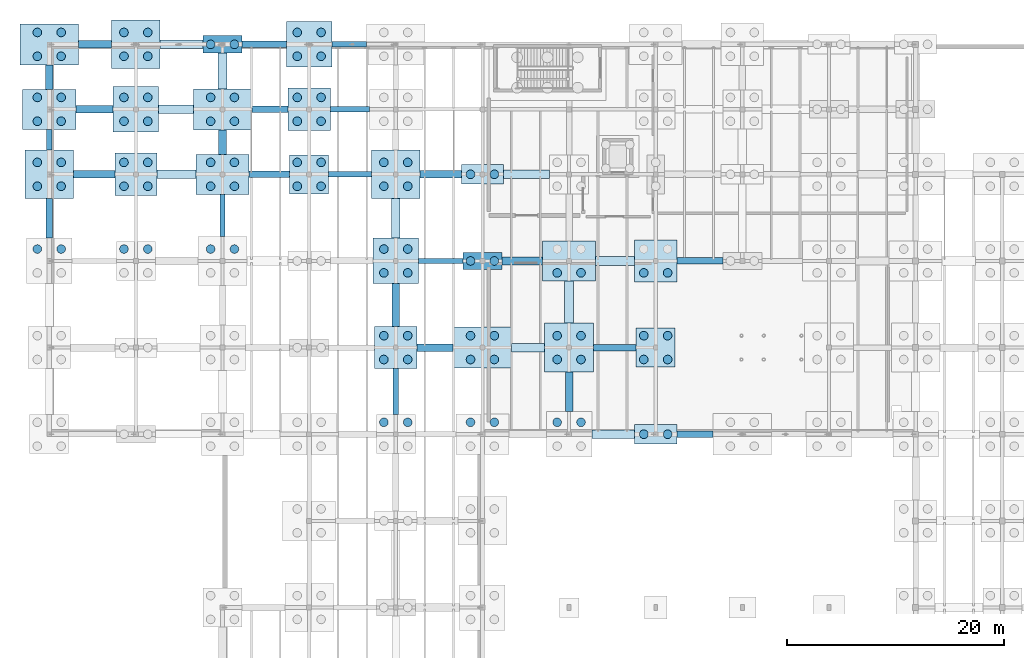
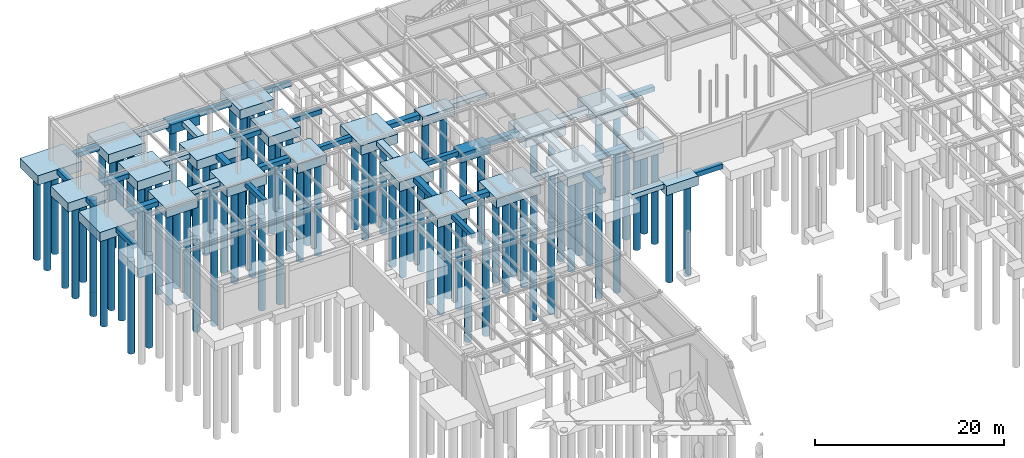
# One storey, part 4 of 71: 92 piles, 57 footings.
"""IFC4 building model written with IfcOpenShell, lengths in metres."""

from ifc_helpers import new_model, si_unit, direction, frame, origin, origin_2d, place, context, subcontext, project, spatial, rectangle, circle, extrude, material, material_profile, profile_set, type_object, element, save


model = new_model("IFC4")

# Units and contexts
model_context = context("Model", 3, precision=1e-05, world=origin(), true_north=direction((0.0, 1.0)))
body_context = subcontext(model_context, "Body", "Model", "MODEL_VIEW")
ifc_project = project(units=[si_unit("LENGTHUNIT", "METRE"), si_unit("AREAUNIT", "SQUARE_METRE"), si_unit("VOLUMEUNIT", "CUBIC_METRE"), si_unit("PLANEANGLEUNIT", "RADIAN"), si_unit("MASSUNIT", "GRAM", prefix="KILO")], contexts=[model_context])

# Site, building, storey
site_placement = place(None, origin())
site = spatial("IfcSite", under=ifc_project, at=site_placement, CompositionType="ELEMENT")
building_placement = place(site_placement, origin())
building = spatial("IfcBuilding", under=site, at=building_placement, Name="Sundkrona Museum", CompositionType="ELEMENT")
storey_placement = place(building_placement, frame((0.0, 0.0, -5.39990234375)))
storey = spatial("IfcBuildingStorey", under=building, at=storey_placement, Name="B1", CompositionType="ELEMENT", Elevation=-5.39990234375)

# Footings
ifc_material = material(Name="Concrete C40/50", Category="concrete")
footing_type_1 = type_object("IfcFootingType", Name="GB-500", PredefinedType="FOOTING_BEAM", material=ifc_material)
footing_1_placement = place(storey_placement, frame((36.14990234375, 94.0, -0.7001953125), z_axis=(0.0, 0.0, 1.0), x_axis=(1.0, 0.0, 0.0)))
element("IfcFooting", 1, at=footing_1_placement, inside=storey, type_object=footing_type_1, Name="Ground Tie Beam GB-X-134", PredefinedType="FOOTING_BEAM", context=body_context, shape_type="SweptSolid", body=[
    extrude(rectangle(XDim=4.10009765625, YDim=0.5, at=origin_2d()), origin(), (0.0, 0.0, 1.0), 0.60009765625),
])
footing_2_placement = place(storey_placement, frame((27.77490234375, 102.0, -0.7001953125), z_axis=(0.0, 0.0, 1.0), x_axis=(1.0, 0.0, 0.0)))
element("IfcFooting", 2, at=footing_2_placement, inside=storey, type_object=footing_type_1, Name="Ground Tie Beam GB-X-154", PredefinedType="FOOTING_BEAM", context=body_context, shape_type="SweptSolid", body=[
    extrude(rectangle(XDim=3.949951171875, YDim=0.5, at=origin_2d()), origin(), (0.0, 0.0, 1.0), 0.60009765625),
])
footing_3_placement = place(storey_placement, frame((27.75, 108.0, -0.7001953125), z_axis=(0.0, 0.0, 1.0), x_axis=(1.0, 0.0, 0.0)))
element("IfcFooting", 3, at=footing_3_placement, inside=storey, type_object=footing_type_1, Name="Ground Tie Beam GB-X-174", PredefinedType="FOOTING_BEAM", context=body_context, shape_type="SweptSolid", body=[
    extrude(rectangle(XDim=3.60009765625, YDim=0.5, at=origin_2d()), origin(), (0.0, 0.0, 1.0), 0.60009765625),
])
footing_4_placement = place(storey_placement, frame((27.699951171875, 114.0, -0.7001953125), z_axis=(0.0, 0.0, 1.0), x_axis=(1.0, 0.0, 0.0)))
element("IfcFooting", 4, at=footing_4_placement, inside=storey, type_object=footing_type_1, Name="Ground Tie Beam GB-X-186", PredefinedType="FOOTING_BEAM", context=body_context, shape_type="SweptSolid", body=[
    extrude(rectangle(XDim=3.199951171875, YDim=0.5, at=origin_2d()), origin(), (0.0, 0.0, 1.0), 0.60009765625),
])
footing_5_placement = place(storey_placement, frame((0.0, 105.199951171875, -0.7001953125), z_axis=(0.0, 0.0, 1.0), x_axis=(0.0, 1.0, 0.0)))
element("IfcFooting", 5, at=footing_5_placement, inside=storey, type_object=footing_type_1, Name="Ground Tie Beam GB-Y-198", PredefinedType="FOOTING_BEAM", context=body_context, shape_type="SweptSolid", body=[
    extrude(rectangle(XDim=1.89990234375, YDim=0.5, at=origin_2d()), origin(), (0.0, 0.0, 1.0), 0.60009765625),
])
footing_6_placement = place(storey_placement, frame((16.0, 98.199951171875, -0.7001953125), z_axis=(0.0, 0.0, 1.0), x_axis=(0.0, 1.0, 0.0)))
element("IfcFooting", 6, at=footing_6_placement, inside=storey, type_object=footing_type_1, Name="Ground Tie Beam GB-Y-206", PredefinedType="FOOTING_BEAM", context=body_context, shape_type="SweptSolid", body=[
    extrude(rectangle(XDim=3.89990234375, YDim=0.5, at=origin_2d()), origin(), (0.0, 0.0, 1.0), 0.60009765625),
])
footing_7_placement = place(storey_placement, frame((32.0, 81.925048828125, -0.7001953125), z_axis=(0.0, 0.0, 1.0), x_axis=(0.0, 1.0, 0.0)))
element("IfcFooting", 7, at=footing_7_placement, inside=storey, type_object=footing_type_1, Name="Ground Tie Beam GB-Y-214", PredefinedType="FOOTING_BEAM", context=body_context, shape_type="SweptSolid", body=[
    extrude(rectangle(XDim=4.25, YDim=0.5, at=origin_2d()), origin(), (0.0, 0.0, 1.0), 0.60009765625),
])
footing_type_2 = type_object("IfcFootingType", Name="GB-600", PredefinedType="FOOTING_BEAM", material=ifc_material)
footing_8_placement = place(storey_placement, frame((59.625, 78.0, -0.7001953125), z_axis=(0.0, 0.0, 1.0), x_axis=(1.0, 0.0, 0.0)))
element("IfcFooting", 8, at=footing_8_placement, inside=storey, type_object=footing_type_2, Name="Ground Tie Beam GB-X-097", PredefinedType="FOOTING_BEAM", context=body_context, shape_type="SweptSolid", body=[
    extrude(rectangle(XDim=3.35009765625, YDim=0.60009765625, at=origin_2d()), origin(), (0.0, 0.0, 1.0), 0.60009765625),
])
footing_9_placement = place(storey_placement, frame((52.22509765625, 86.0, -0.7001953125), z_axis=(0.0, 0.0, 1.0), x_axis=(1.0, 0.0, 0.0)))
element("IfcFooting", 9, at=footing_9_placement, inside=storey, type_object=footing_type_2, Name="Ground Tie Beam GB-X-117", PredefinedType="FOOTING_BEAM", context=body_context, shape_type="SweptSolid", body=[
    extrude(rectangle(XDim=3.949951171875, YDim=0.60009765625, at=origin_2d()), origin(), (0.0, 0.0, 1.0), 0.60009765625),
])
footing_10_placement = place(storey_placement, frame((60.074951171875, 94.0, -0.7001953125), z_axis=(0.0, 0.0, 1.0), x_axis=(1.0, 0.0, 0.0)))
element("IfcFooting", 10, at=footing_10_placement, inside=storey, type_object=footing_type_2, Name="Ground Tie Beam GB-X-137", PredefinedType="FOOTING_BEAM", context=body_context, shape_type="SweptSolid", body=[
    extrude(rectangle(XDim=4.25, YDim=0.60009765625, at=origin_2d()), origin(), (0.0, 0.0, 1.0), 0.60009765625),
])
footing_11_placement = place(storey_placement, frame((20.324951171875, 102.0, -0.7001953125), z_axis=(0.0, 0.0, 1.0), x_axis=(1.0, 0.0, 0.0)))
element("IfcFooting", 11, at=footing_11_placement, inside=storey, type_object=footing_type_2, Name="Ground Tie Beam GB-X-153", PredefinedType="FOOTING_BEAM", context=body_context, shape_type="SweptSolid", body=[
    extrude(rectangle(XDim=3.75, YDim=0.60009765625, at=origin_2d()), origin(), (0.0, 0.0, 1.0), 0.60009765625),
])
footing_12_placement = place(storey_placement, frame((20.375, 108.0, -0.7001953125), z_axis=(0.0, 0.0, 1.0), x_axis=(1.0, 0.0, 0.0)))
element("IfcFooting", 12, at=footing_12_placement, inside=storey, type_object=footing_type_2, Name="Ground Tie Beam GB-X-173", PredefinedType="FOOTING_BEAM", context=body_context, shape_type="SweptSolid", body=[
    extrude(rectangle(XDim=3.35009765625, YDim=0.60009765625, at=origin_2d()), origin(), (0.0, 0.0, 1.0), 0.60009765625),
])
footing_13_placement = place(storey_placement, frame((19.85009765625, 114.0, -0.7001953125), z_axis=(0.0, 0.0, 1.0), x_axis=(1.0, 0.0, 0.0)))
element("IfcFooting", 13, at=footing_13_placement, inside=storey, type_object=footing_type_2, Name="Ground Tie Beam GB-X-185", PredefinedType="FOOTING_BEAM", context=body_context, shape_type="SweptSolid", body=[
    extrude(rectangle(XDim=4.10009765625, YDim=0.60009765625, at=origin_2d()), origin(), (0.0, 0.0, 1.0), 0.60009765625),
])
footing_14_placement = place(storey_placement, frame((0.0, 97.925048828125, -0.7001953125), z_axis=(0.0, 0.0, 1.0), x_axis=(0.0, 1.0, 0.0)))
element("IfcFooting", 14, at=footing_14_placement, inside=storey, type_object=footing_type_2, Name="Ground Tie Beam GB-Y-197", PredefinedType="FOOTING_BEAM", context=body_context, shape_type="SweptSolid", body=[
    extrude(rectangle(XDim=3.64990234375, YDim=0.60009765625, at=origin_2d()), origin(), (0.0, 0.0, 1.0), 0.60009765625),
])
footing_type_3 = type_object("IfcFootingType", Name="GB-700", PredefinedType="FOOTING_BEAM", material=ifc_material)
footing_15_placement = place(storey_placement, frame((35.625, 86.0, -0.7001953125), z_axis=(0.0, 0.0, 1.0), x_axis=(1.0, 0.0, 0.0)))
element("IfcFooting", 15, at=footing_15_placement, inside=storey, type_object=footing_type_3, Name="Ground Tie Beam GB-X-115", PredefinedType="FOOTING_BEAM", context=body_context, shape_type="SweptSolid", body=[
    extrude(rectangle(XDim=3.35009765625, YDim=0.699951171875, at=origin_2d()), origin(), (0.0, 0.0, 1.0), 0.60009765625),
])
footing_16_placement = place(storey_placement, frame((43.675048828125, 94.0, -0.7001953125), z_axis=(0.0, 0.0, 1.0), x_axis=(1.0, 0.0, 0.0)))
element("IfcFooting", 16, at=footing_16_placement, inside=storey, type_object=footing_type_3, Name="Ground Tie Beam GB-X-135", PredefinedType="FOOTING_BEAM", context=body_context, shape_type="SweptSolid", body=[
    extrude(rectangle(XDim=3.75, YDim=0.699951171875, at=origin_2d()), origin(), (0.0, 0.0, 1.0), 0.60009765625),
])
for number, where, z_axis, x_axis, name in (
    (17, (4.14990234375, 102.0, -0.7001953125), (0.0, 0.0, 1.0), (1.0, 0.0, 0.0), "Ground Tie Beam GB-X-151"),
    (18, (36.14990234375, 102.0, -0.7001953125), (0.0, 0.0, 1.0), (1.0, 0.0, 0.0), "Ground Tie Beam GB-X-155"),
):
    element("IfcFooting", number, at=place(storey_placement, frame(where, z_axis=z_axis, x_axis=x_axis)), inside=storey, type_object=footing_type_3, Name=name, PredefinedType="FOOTING_BEAM", context=body_context, shape_type="SweptSolid", body=[
        extrude(rectangle(XDim=3.800048828125, YDim=0.699951171875, at=origin_2d()), origin(), (0.0, 0.0, 1.0), 0.60009765625),
    ])
footing_17_placement = place(storey_placement, frame((4.175048828125, 108.0, -0.7001953125), z_axis=(0.0, 0.0, 1.0), x_axis=(1.0, 0.0, 0.0)))
element("IfcFooting", 19, at=footing_17_placement, inside=storey, type_object=footing_type_3, Name="Ground Tie Beam GB-X-171", PredefinedType="FOOTING_BEAM", context=body_context, shape_type="SweptSolid", body=[
    extrude(rectangle(XDim=3.449951171875, YDim=0.699951171875, at=origin_2d()), origin(), (0.0, 0.0, 1.0), 0.60009765625),
])
footing_18_placement = place(storey_placement, frame((4.22509765625, 114.0, -0.7001953125), z_axis=(0.0, 0.0, 1.0), x_axis=(1.0, 0.0, 0.0)))
element("IfcFooting", 20, at=footing_18_placement, inside=storey, type_object=footing_type_3, Name="Ground Tie Beam GB-X-183", PredefinedType="FOOTING_BEAM", context=body_context, shape_type="SweptSolid", body=[
    extrude(rectangle(XDim=3.050048828125, YDim=0.699951171875, at=origin_2d()), origin(), (0.0, 0.0, 1.0), 0.60009765625),
])
for number, where, z_axis, x_axis, name in (
    (21, (0.0, 110.97509765625, -0.7001953125), (0.0, 0.0, 1.0), (0.0, 1.0, 0.0), "Ground Tie Beam GB-Y-199"),
    (22, (16.0, 104.97509765625, -0.7001953125), (0.0, 0.0, 1.0), (0.0, 1.0, 0.0), "Ground Tie Beam GB-Y-207"),
):
    element("IfcFooting", number, at=place(storey_placement, frame(where, z_axis=z_axis, x_axis=x_axis)), inside=storey, type_object=footing_type_3, Name=name, PredefinedType="FOOTING_BEAM", context=body_context, shape_type="SweptSolid", body=[
        extrude(rectangle(XDim=2.25, YDim=0.699951171875, at=origin_2d()), origin(), (0.0, 0.0, 1.0), 0.60009765625),
    ])
footing_19_placement = place(storey_placement, frame((32.0, 89.925048828125, -0.7001953125), z_axis=(0.0, 0.0, 1.0), x_axis=(0.0, 1.0, 0.0)))
element("IfcFooting", 23, at=footing_19_placement, inside=storey, type_object=footing_type_3, Name="Ground Tie Beam GB-Y-215", PredefinedType="FOOTING_BEAM", context=body_context, shape_type="SweptSolid", body=[
    extrude(rectangle(XDim=3.949951171875, YDim=0.699951171875, at=origin_2d()), origin(), (0.0, 0.0, 1.0), 0.60009765625),
])
footing_20_placement = place(storey_placement, frame((48.0, 81.925048828125, -0.7001953125), z_axis=(0.0, 0.0, 1.0), x_axis=(0.0, 1.0, 0.0)))
element("IfcFooting", 24, at=footing_20_placement, inside=storey, type_object=footing_type_3, Name="Ground Tie Beam GB-Y-219", PredefinedType="FOOTING_BEAM", context=body_context, shape_type="SweptSolid", body=[
    extrude(rectangle(XDim=3.64990234375, YDim=0.699951171875, at=origin_2d()), origin(), (0.0, 0.0, 1.0), 0.60009765625),
])
footing_type_4 = type_object("IfcFootingType", Name="GB-800", PredefinedType="FOOTING_BEAM", material=ifc_material)
footing_21_placement = place(storey_placement, frame((52.074951171875, 78.0, -0.7001953125), z_axis=(0.0, 0.0, 1.0), x_axis=(1.0, 0.0, 0.0)))
element("IfcFooting", 25, at=footing_21_placement, inside=storey, type_object=footing_type_4, Name="Ground Tie Beam GB-X-096", PredefinedType="FOOTING_BEAM", context=body_context, shape_type="SweptSolid", body=[
    extrude(rectangle(XDim=3.949951171875, YDim=0.800048828125, at=origin_2d()), origin(), (0.0, 0.0, 1.0), 0.60009765625),
])
footing_22_placement = place(storey_placement, frame((44.22509765625, 86.0, -0.7001953125), z_axis=(0.0, 0.0, 1.0), x_axis=(1.0, 0.0, 0.0)))
element("IfcFooting", 26, at=footing_22_placement, inside=storey, type_object=footing_type_4, Name="Ground Tie Beam GB-X-116", PredefinedType="FOOTING_BEAM", context=body_context, shape_type="SweptSolid", body=[
    extrude(rectangle(XDim=3.050048828125, YDim=0.800048828125, at=origin_2d()), origin(), (0.0, 0.0, 1.0), 0.60009765625),
])
for number, where, z_axis, x_axis, name in (
    (27, (52.25, 94.0, -0.7001953125), (0.0, 0.0, 1.0), (1.0, 0.0, 0.0), "Ground Tie Beam GB-X-136"),
    (28, (11.75, 102.0, -0.7001953125), (0.0, 0.0, 1.0), (1.0, 0.0, 0.0), "Ground Tie Beam GB-X-152"),
):
    element("IfcFooting", number, at=place(storey_placement, frame(where, z_axis=z_axis, x_axis=x_axis)), inside=storey, type_object=footing_type_4, Name=name, PredefinedType="FOOTING_BEAM", context=body_context, shape_type="SweptSolid", body=[
        extrude(rectangle(XDim=3.60009765625, YDim=0.800048828125, at=origin_2d()), origin(), (0.0, 0.0, 1.0), 0.60009765625),
    ])
footing_23_placement = place(storey_placement, frame((44.074951171875, 102.0, -0.7001953125), z_axis=(0.0, 0.0, 1.0), x_axis=(1.0, 0.0, 0.0)))
element("IfcFooting", 29, at=footing_23_placement, inside=storey, type_object=footing_type_4, Name="Ground Tie Beam GB-X-156", PredefinedType="FOOTING_BEAM", context=body_context, shape_type="SweptSolid", body=[
    extrude(rectangle(XDim=4.25, YDim=0.800048828125, at=origin_2d()), origin(), (0.0, 0.0, 1.0), 0.60009765625),
])
footing_24_placement = place(storey_placement, frame((11.699951171875, 108.0, -0.7001953125), z_axis=(0.0, 0.0, 1.0), x_axis=(1.0, 0.0, 0.0)))
element("IfcFooting", 30, at=footing_24_placement, inside=storey, type_object=footing_type_4, Name="Ground Tie Beam GB-X-172", PredefinedType="FOOTING_BEAM", context=body_context, shape_type="SweptSolid", body=[
    extrude(rectangle(XDim=3.199951171875, YDim=0.800048828125, at=origin_2d()), origin(), (0.0, 0.0, 1.0), 0.60009765625),
])
footing_25_placement = place(storey_placement, frame((12.22509765625, 114.0, -0.7001953125), z_axis=(0.0, 0.0, 1.0), x_axis=(1.0, 0.0, 0.0)))
element("IfcFooting", 31, at=footing_25_placement, inside=storey, type_object=footing_type_4, Name="Ground Tie Beam GB-X-184", PredefinedType="FOOTING_BEAM", context=body_context, shape_type="SweptSolid", body=[
    extrude(rectangle(XDim=3.949951171875, YDim=0.800048828125, at=origin_2d()), origin(), (0.0, 0.0, 1.0), 0.60009765625),
])
footing_26_placement = place(storey_placement, frame((16.0, 111.550048828125, -0.7001953125), z_axis=(0.0, 0.0, 1.0), x_axis=(0.0, 1.0, 0.0)))
element("IfcFooting", 32, at=footing_26_placement, inside=storey, type_object=footing_type_4, Name="Ground Tie Beam GB-Y-208", PredefinedType="FOOTING_BEAM", context=body_context, shape_type="SweptSolid", body=[
    extrude(rectangle(XDim=3.300048828125, YDim=0.800048828125, at=origin_2d()), origin(), (0.0, 0.0, 1.0), 0.60009765625),
])
footing_27_placement = place(storey_placement, frame((32.0, 97.925048828125, -0.7001953125), z_axis=(0.0, 0.0, 1.0), x_axis=(0.0, 1.0, 0.0)))
element("IfcFooting", 33, at=footing_27_placement, inside=storey, type_object=footing_type_4, Name="Ground Tie Beam GB-Y-216", PredefinedType="FOOTING_BEAM", context=body_context, shape_type="SweptSolid", body=[
    extrude(rectangle(XDim=3.64990234375, YDim=0.800048828125, at=origin_2d()), origin(), (0.0, 0.0, 1.0), 0.60009765625),
])
footing_28_placement = place(storey_placement, frame((48.0, 90.199951171875, -0.7001953125), z_axis=(0.0, 0.0, 1.0), x_axis=(0.0, 1.0, 0.0)))
element("IfcFooting", 34, at=footing_28_placement, inside=storey, type_object=footing_type_4, Name="Ground Tie Beam GB-Y-220", PredefinedType="FOOTING_BEAM", context=body_context, shape_type="SweptSolid", body=[
    extrude(rectangle(XDim=3.89990234375, YDim=0.800048828125, at=origin_2d()), origin(), (0.0, 0.0, 1.0), 0.60009765625),
])

# Piles
ifc_material_profile = material_profile(ifc_material, circle(Radius=0.39990234375, at=origin_2d()), Name="PILE D800")
ifc_profile_set = profile_set([ifc_material_profile], Name="Concrete C40/50")
pile_type = type_object("IfcPileType", Name="P-800", PredefinedType="BORED", material=ifc_profile_set)
for number, where, z_axis, x_axis, name in (
    (35, (-1.10009765625, 95.10009765625, -1.150146484375), (0.0, 0.0, -1.0), (1.0, 0.0, 0.0), "Bored Pile FC-N-1-P03"),
    (36, (1.10009765625, 95.10009765625, -1.150146484375), (0.0, 0.0, -1.0), (1.0, 0.0, 0.0), "Bored Pile FC-N-1-P04"),
    (37, (-1.10009765625, 100.89990234375, -1.150146484375), (0.0, 0.0, -1.0), (1.0, 0.0, 0.0), "Bored Pile FC-P-1-P01"),
    (38, (1.10009765625, 100.89990234375, -1.150146484375), (0.0, 0.0, -1.0), (1.0, 0.0, 0.0), "Bored Pile FC-P-1-P02"),
    (39, (-1.10009765625, 103.10009765625, -1.150146484375), (0.0, 0.0, -1.0), (1.0, 0.0, 0.0), "Bored Pile FC-P-1-P03"),
    (40, (1.10009765625, 103.10009765625, -1.150146484375), (0.0, 0.0, -1.0), (1.0, 0.0, 0.0), "Bored Pile FC-P-1-P04"),
    (41, (-1.10009765625, 106.89990234375, -1.150146484375), (0.0, 0.0, -1.0), (1.0, 0.0, 0.0), "Bored Pile FC-Q-1-P01"),
    (42, (1.10009765625, 106.89990234375, -1.150146484375), (0.0, 0.0, -1.0), (1.0, 0.0, 0.0), "Bored Pile FC-Q-1-P02"),
    (43, (-1.10009765625, 109.10009765625, -1.150146484375), (0.0, 0.0, -1.0), (1.0, 0.0, 0.0), "Bored Pile FC-Q-1-P03"),
    (44, (1.10009765625, 109.10009765625, -1.150146484375), (0.0, 0.0, -1.0), (1.0, 0.0, 0.0), "Bored Pile FC-Q-1-P04"),
    (45, (-1.10009765625, 112.89990234375, -1.150146484375), (0.0, 0.0, -1.0), (1.0, 0.0, 0.0), "Bored Pile FC-R-1-P01"),
    (46, (1.10009765625, 112.89990234375, -1.150146484375), (0.0, 0.0, -1.0), (1.0, 0.0, 0.0), "Bored Pile FC-R-1-P02"),
    (47, (-1.10009765625, 115.10009765625, -1.150146484375), (0.0, 0.0, -1.0), (1.0, 0.0, 0.0), "Bored Pile FC-R-1-P03"),
    (48, (1.10009765625, 115.10009765625, -1.150146484375), (0.0, 0.0, -1.0), (1.0, 0.0, 0.0), "Bored Pile FC-R-1-P04"),
    (49, (6.89990234375, 95.10009765625, -1.150146484375), (0.0, 0.0, -1.0), (1.0, 0.0, 0.0), "Bored Pile FC-N-2-P03"),
    (50, (9.10009765625, 95.10009765625, -1.150146484375), (0.0, 0.0, -1.0), (1.0, 0.0, 0.0), "Bored Pile FC-N-2-P04"),
    (51, (6.89990234375, 100.89990234375, -1.150146484375), (0.0, 0.0, -1.0), (1.0, 0.0, 0.0), "Bored Pile FC-P-2-P01"),
    (52, (9.10009765625, 100.89990234375, -1.150146484375), (0.0, 0.0, -1.0), (1.0, 0.0, 0.0), "Bored Pile FC-P-2-P02"),
    (53, (6.89990234375, 103.10009765625, -1.150146484375), (0.0, 0.0, -1.0), (1.0, 0.0, 0.0), "Bored Pile FC-P-2-P03"),
    (54, (9.10009765625, 103.10009765625, -1.150146484375), (0.0, 0.0, -1.0), (1.0, 0.0, 0.0), "Bored Pile FC-P-2-P04"),
    (55, (6.89990234375, 106.89990234375, -1.150146484375), (0.0, 0.0, -1.0), (1.0, 0.0, 0.0), "Bored Pile FC-Q-2-P01"),
    (56, (9.10009765625, 106.89990234375, -1.150146484375), (0.0, 0.0, -1.0), (1.0, 0.0, 0.0), "Bored Pile FC-Q-2-P02"),
    (57, (6.89990234375, 109.10009765625, -1.150146484375), (0.0, 0.0, -1.0), (1.0, 0.0, 0.0), "Bored Pile FC-Q-2-P03"),
    (58, (9.10009765625, 109.10009765625, -1.150146484375), (0.0, 0.0, -1.0), (1.0, 0.0, 0.0), "Bored Pile FC-Q-2-P04"),
    (59, (6.89990234375, 112.89990234375, -1.150146484375), (0.0, 0.0, -1.0), (1.0, 0.0, 0.0), "Bored Pile FC-R-2-P01"),
    (60, (9.10009765625, 112.89990234375, -1.150146484375), (0.0, 0.0, -1.0), (1.0, 0.0, 0.0), "Bored Pile FC-R-2-P02"),
    (61, (6.89990234375, 115.10009765625, -1.150146484375), (0.0, 0.0, -1.0), (1.0, 0.0, 0.0), "Bored Pile FC-R-2-P03"),
    (62, (9.10009765625, 115.10009765625, -1.150146484375), (0.0, 0.0, -1.0), (1.0, 0.0, 0.0), "Bored Pile FC-R-2-P04"),
    (63, (14.89990234375, 95.10009765625, -1.150146484375), (0.0, 0.0, -1.0), (1.0, 0.0, 0.0), "Bored Pile FC-N-3-P03"),
    (64, (17.10009765625, 95.10009765625, -1.150146484375), (0.0, 0.0, -1.0), (1.0, 0.0, 0.0), "Bored Pile FC-N-3-P04"),
    (65, (14.89990234375, 100.89990234375, -1.150146484375), (0.0, 0.0, -1.0), (1.0, 0.0, 0.0), "Bored Pile FC-P-3-P01"),
    (66, (17.10009765625, 100.89990234375, -1.150146484375), (0.0, 0.0, -1.0), (1.0, 0.0, 0.0), "Bored Pile FC-P-3-P02"),
    (67, (14.89990234375, 103.10009765625, -1.150146484375), (0.0, 0.0, -1.0), (1.0, 0.0, 0.0), "Bored Pile FC-P-3-P03"),
    (68, (17.10009765625, 103.10009765625, -1.150146484375), (0.0, 0.0, -1.0), (1.0, 0.0, 0.0), "Bored Pile FC-P-3-P04"),
    (69, (14.89990234375, 106.89990234375, -1.150146484375), (0.0, 0.0, -1.0), (1.0, 0.0, 0.0), "Bored Pile FC-Q-3-P01"),
    (70, (17.10009765625, 106.89990234375, -1.150146484375), (0.0, 0.0, -1.0), (1.0, 0.0, 0.0), "Bored Pile FC-Q-3-P02"),
    (71, (14.89990234375, 109.10009765625, -1.150146484375), (0.0, 0.0, -1.0), (1.0, 0.0, 0.0), "Bored Pile FC-Q-3-P03"),
    (72, (17.10009765625, 109.10009765625, -1.150146484375), (0.0, 0.0, -1.0), (1.0, 0.0, 0.0), "Bored Pile FC-Q-3-P04"),
    (73, (14.89990234375, 114.0, -1.150146484375), (0.0, 0.0, -1.0), (1.0, 0.0, 0.0), "Bored Pile FC-R-3-P01"),
    (74, (17.10009765625, 114.0, -1.150146484375), (0.0, 0.0, -1.0), (1.0, 0.0, 0.0), "Bored Pile FC-R-3-P02"),
    (75, (22.89990234375, 100.89990234375, -1.150146484375), (0.0, 0.0, -1.0), (1.0, 0.0, 0.0), "Bored Pile FC-P-4-P01"),
    (76, (25.10009765625, 100.89990234375, -1.150146484375), (0.0, 0.0, -1.0), (1.0, 0.0, 0.0), "Bored Pile FC-P-4-P02"),
    (77, (22.89990234375, 103.10009765625, -1.150146484375), (0.0, 0.0, -1.0), (1.0, 0.0, 0.0), "Bored Pile FC-P-4-P03"),
    (78, (25.10009765625, 103.10009765625, -1.150146484375), (0.0, 0.0, -1.0), (1.0, 0.0, 0.0), "Bored Pile FC-P-4-P04"),
    (79, (22.89990234375, 106.89990234375, -1.150146484375), (0.0, 0.0, -1.0), (1.0, 0.0, 0.0), "Bored Pile FC-Q-4-P01"),
    (80, (25.10009765625, 106.89990234375, -1.150146484375), (0.0, 0.0, -1.0), (1.0, 0.0, 0.0), "Bored Pile FC-Q-4-P02"),
    (81, (22.89990234375, 109.10009765625, -1.150146484375), (0.0, 0.0, -1.0), (1.0, 0.0, 0.0), "Bored Pile FC-Q-4-P03"),
    (82, (25.10009765625, 109.10009765625, -1.150146484375), (0.0, 0.0, -1.0), (1.0, 0.0, 0.0), "Bored Pile FC-Q-4-P04"),
    (83, (22.89990234375, 112.89990234375, -1.150146484375), (0.0, 0.0, -1.0), (1.0, 0.0, 0.0), "Bored Pile FC-R-4-P01"),
    (84, (25.10009765625, 112.89990234375, -1.150146484375), (0.0, 0.0, -1.0), (1.0, 0.0, 0.0), "Bored Pile FC-R-4-P02"),
    (85, (22.89990234375, 115.10009765625, -1.150146484375), (0.0, 0.0, -1.0), (1.0, 0.0, 0.0), "Bored Pile FC-R-4-P03"),
    (86, (25.10009765625, 115.10009765625, -1.150146484375), (0.0, 0.0, -1.0), (1.0, 0.0, 0.0), "Bored Pile FC-R-4-P04"),
    (87, (30.89990234375, 79.10009765625, -1.150146484375), (0.0, 0.0, -1.0), (1.0, 0.0, 0.0), "Bored Pile FC-L-5-P03"),
    (88, (33.10009765625, 79.10009765625, -1.150146484375), (0.0, 0.0, -1.0), (1.0, 0.0, 0.0), "Bored Pile FC-L-5-P04"),
    (89, (30.89990234375, 84.89990234375, -1.150146484375), (0.0, 0.0, -1.0), (1.0, 0.0, 0.0), "Bored Pile FC-M-5-P01"),
    (90, (33.10009765625, 84.89990234375, -1.150146484375), (0.0, 0.0, -1.0), (1.0, 0.0, 0.0), "Bored Pile FC-M-5-P02"),
    (91, (30.89990234375, 87.10009765625, -1.150146484375), (0.0, 0.0, -1.0), (1.0, 0.0, 0.0), "Bored Pile FC-M-5-P03"),
    (92, (33.10009765625, 87.10009765625, -1.150146484375), (0.0, 0.0, -1.0), (1.0, 0.0, 0.0), "Bored Pile FC-M-5-P04"),
    (93, (30.89990234375, 92.89990234375, -1.150146484375), (0.0, 0.0, -1.0), (1.0, 0.0, 0.0), "Bored Pile FC-N-5-P01"),
    (94, (33.10009765625, 92.89990234375, -1.150146484375), (0.0, 0.0, -1.0), (1.0, 0.0, 0.0), "Bored Pile FC-N-5-P02"),
    (95, (30.89990234375, 95.10009765625, -1.150146484375), (0.0, 0.0, -1.0), (1.0, 0.0, 0.0), "Bored Pile FC-N-5-P03"),
    (96, (33.10009765625, 95.10009765625, -1.150146484375), (0.0, 0.0, -1.0), (1.0, 0.0, 0.0), "Bored Pile FC-N-5-P04"),
    (97, (30.89990234375, 100.89990234375, -1.150146484375), (0.0, 0.0, -1.0), (1.0, 0.0, 0.0), "Bored Pile FC-P-5-P01"),
    (98, (33.10009765625, 100.89990234375, -1.150146484375), (0.0, 0.0, -1.0), (1.0, 0.0, 0.0), "Bored Pile FC-P-5-P02"),
    (99, (30.89990234375, 103.10009765625, -1.150146484375), (0.0, 0.0, -1.0), (1.0, 0.0, 0.0), "Bored Pile FC-P-5-P03"),
    (100, (33.10009765625, 103.10009765625, -1.150146484375), (0.0, 0.0, -1.0), (1.0, 0.0, 0.0), "Bored Pile FC-P-5-P04"),
    (101, (38.89990234375, 79.10009765625, -1.150146484375), (0.0, 0.0, -1.0), (1.0, 0.0, 0.0), "Bored Pile FC-L-6-P03"),
    (102, (41.10009765625, 79.10009765625, -1.150146484375), (0.0, 0.0, -1.0), (1.0, 0.0, 0.0), "Bored Pile FC-L-6-P04"),
    (103, (38.89990234375, 84.89990234375, -1.150146484375), (0.0, 0.0, -1.0), (1.0, 0.0, 0.0), "Bored Pile FC-M-6-P01"),
    (104, (41.10009765625, 84.89990234375, -1.150146484375), (0.0, 0.0, -1.0), (1.0, 0.0, 0.0), "Bored Pile FC-M-6-P02"),
    (105, (38.89990234375, 87.10009765625, -1.150146484375), (0.0, 0.0, -1.0), (1.0, 0.0, 0.0), "Bored Pile FC-M-6-P03"),
    (106, (41.10009765625, 87.10009765625, -1.150146484375), (0.0, 0.0, -1.0), (1.0, 0.0, 0.0), "Bored Pile FC-M-6-P04"),
    (107, (38.89990234375, 94.0, -1.150146484375), (0.0, 0.0, -1.0), (1.0, 0.0, 0.0), "Bored Pile FC-N-6-P01"),
    (108, (41.10009765625, 94.0, -1.150146484375), (0.0, 0.0, -1.0), (1.0, 0.0, 0.0), "Bored Pile FC-N-6-P02"),
    (109, (38.89990234375, 102.0, -1.150146484375), (0.0, 0.0, -1.0), (1.0, 0.0, 0.0), "Bored Pile FC-P-6-P01"),
    (110, (41.10009765625, 102.0, -1.150146484375), (0.0, 0.0, -1.0), (1.0, 0.0, 0.0), "Bored Pile FC-P-6-P02"),
    (111, (46.89990234375, 79.10009765625, -1.150146484375), (0.0, 0.0, -1.0), (1.0, 0.0, 0.0), "Bored Pile FC-L-7-P03"),
    (112, (49.10009765625, 79.10009765625, -1.150146484375), (0.0, 0.0, -1.0), (1.0, 0.0, 0.0), "Bored Pile FC-L-7-P04"),
    (113, (46.89990234375, 84.89990234375, -1.150146484375), (0.0, 0.0, -1.0), (1.0, 0.0, 0.0), "Bored Pile FC-M-7-P01"),
    (114, (49.10009765625, 84.89990234375, -1.150146484375), (0.0, 0.0, -1.0), (1.0, 0.0, 0.0), "Bored Pile FC-M-7-P02"),
    (115, (46.89990234375, 87.10009765625, -1.150146484375), (0.0, 0.0, -1.0), (1.0, 0.0, 0.0), "Bored Pile FC-M-7-P03"),
    (116, (49.10009765625, 87.10009765625, -1.150146484375), (0.0, 0.0, -1.0), (1.0, 0.0, 0.0), "Bored Pile FC-M-7-P04"),
    (117, (46.89990234375, 92.89990234375, -1.150146484375), (0.0, 0.0, -1.0), (1.0, 0.0, 0.0), "Bored Pile FC-N-7-P01"),
    (118, (49.10009765625, 92.89990234375, -1.150146484375), (0.0, 0.0, -1.0), (1.0, 0.0, 0.0), "Bored Pile FC-N-7-P02"),
    (119, (54.89990234375, 78.0, -1.150146484375), (0.0, 0.0, -1.0), (1.0, 0.0, 0.0), "Bored Pile FC-L-8-P01"),
    (120, (57.10009765625, 78.0, -1.150146484375), (0.0, 0.0, -1.0), (1.0, 0.0, 0.0), "Bored Pile FC-L-8-P02"),
    (121, (54.89990234375, 84.89990234375, -1.150146484375), (0.0, 0.0, -1.0), (1.0, 0.0, 0.0), "Bored Pile FC-M-8-P01"),
    (122, (57.10009765625, 84.89990234375, -1.150146484375), (0.0, 0.0, -1.0), (1.0, 0.0, 0.0), "Bored Pile FC-M-8-P02"),
    (123, (54.89990234375, 87.10009765625, -1.150146484375), (0.0, 0.0, -1.0), (1.0, 0.0, 0.0), "Bored Pile FC-M-8-P03"),
    (124, (57.10009765625, 87.10009765625, -1.150146484375), (0.0, 0.0, -1.0), (1.0, 0.0, 0.0), "Bored Pile FC-M-8-P04"),
    (125, (54.89990234375, 92.89990234375, -1.150146484375), (0.0, 0.0, -1.0), (1.0, 0.0, 0.0), "Bored Pile FC-N-8-P01"),
    (126, (57.10009765625, 92.89990234375, -1.150146484375), (0.0, 0.0, -1.0), (1.0, 0.0, 0.0), "Bored Pile FC-N-8-P02"),
):
    element("IfcPile", number, at=place(storey_placement, frame(where, z_axis=z_axis, x_axis=x_axis)), inside=storey, type_object=pile_type, Name=name, PredefinedType="BORED", context=body_context, shape_type="SweptSolid", body=[
        extrude(circle(Radius=0.39990234375, at=origin_2d()), origin(), (0.0, 0.0, 1.0), 12.0),
    ])

# Footings
footing_type_5 = type_object("IfcFootingType", Name="PC-2A", PredefinedType="PILE_CAP", material=ifc_material)
for number, where, z_axis, x_axis, name in (
    (127, (16.0, 114.0, -1.30029296875), (0.0, 0.0, 1.0), (1.0, 0.0, 0.0), "Column Pile Cap R/3"),
    (128, (40.0, 94.0, -1.30029296875), (0.0, 0.0, 1.0), (1.0, 0.0, 0.0), "Column Pile Cap N/6"),
):
    element("IfcFooting", number, at=place(storey_placement, frame(where, z_axis=z_axis, x_axis=x_axis)), inside=storey, type_object=footing_type_5, Name=name, PredefinedType="PILE_CAP", context=body_context, shape_type="SweptSolid", body=[
        extrude(rectangle(XDim=3.60009765625, YDim=1.60009765625, at=origin_2d()), origin(), (0.0, 0.0, 1.0), 1.199951171875),
    ])
footing_type_6 = type_object("IfcFootingType", Name="PC-2B", PredefinedType="PILE_CAP", material=ifc_material)
for number, where, z_axis, x_axis, name in (
    (129, (40.0, 102.0, -1.30029296875), (0.0, 0.0, 1.0), (1.0, 0.0, 0.0), "Column Pile Cap P/6"),
    (130, (56.0, 78.0, -1.30029296875), (0.0, 0.0, 1.0), (1.0, 0.0, 0.0), "Column Pile Cap L/8"),
):
    element("IfcFooting", number, at=place(storey_placement, frame(where, z_axis=z_axis, x_axis=x_axis)), inside=storey, type_object=footing_type_6, Name=name, PredefinedType="PILE_CAP", context=body_context, shape_type="SweptSolid", body=[
        extrude(rectangle(XDim=3.89990234375, YDim=1.800048828125, at=origin_2d()), origin(), (0.0, 0.0, 1.0), 1.199951171875),
    ])
footing_type_7 = type_object("IfcFootingType", Name="PC-4A", PredefinedType="PILE_CAP", material=ifc_material)
for number, where, z_axis, x_axis, name in (
    (131, (24.0, 102.0, -1.30029296875), (0.0, 0.0, 1.0), (1.0, 0.0, 0.0), "Column Pile Cap P/4"),
    (132, (56.0, 86.0, -1.30029296875), (0.0, 0.0, 1.0), (1.0, 0.0, 0.0), "Column Pile Cap M/8"),
):
    element("IfcFooting", number, at=place(storey_placement, frame(where, z_axis=z_axis, x_axis=x_axis)), inside=storey, type_object=footing_type_7, Name=name, PredefinedType="PILE_CAP", context=body_context, shape_type="SweptSolid", body=[
        extrude(rectangle(XDim=3.60009765625, YDim=3.60009765625, at=origin_2d()), origin(), (0.0, 0.0, 1.0), 1.199951171875),
    ])
footing_type_8 = type_object("IfcFootingType", Name="PC-4B", PredefinedType="PILE_CAP", material=ifc_material)
for number, where, z_axis, x_axis, name in (
    (133, (8.0, 102.0, -1.30029296875), (0.0, 0.0, 1.0), (1.0, 0.0, 0.0), "Column Pile Cap P/2"),
    (134, (24.0, 108.0, -1.30029296875), (0.0, 0.0, 1.0), (1.0, 0.0, 0.0), "Column Pile Cap Q/4"),
    (135, (32.0, 86.0, -1.30029296875), (0.0, 0.0, 1.0), (1.0, 0.0, 0.0), "Column Pile Cap M/5"),
    (136, (56.0, 94.0, -1.30029296875), (0.0, 0.0, 1.0), (1.0, 0.0, 0.0), "Column Pile Cap N/8"),
):
    element("IfcFooting", number, at=place(storey_placement, frame(where, z_axis=z_axis, x_axis=x_axis)), inside=storey, type_object=footing_type_8, Name=name, PredefinedType="PILE_CAP", context=body_context, shape_type="SweptSolid", body=[
        extrude(rectangle(XDim=3.89990234375, YDim=3.89990234375, at=origin_2d()), origin(), (0.0, 0.0, 1.0), 1.199951171875),
    ])
footing_type_9 = type_object("IfcFootingType", Name="PC-4C", PredefinedType="PILE_CAP", material=ifc_material)
for number, where, z_axis, x_axis, name in (
    (137, (8.0, 108.0, -1.30029296875), (0.0, 0.0, 1.0), (1.0, 0.0, 0.0), "Column Pile Cap Q/2"),
    (138, (24.0, 114.0, -1.30029296875), (0.0, 0.0, 1.0), (1.0, 0.0, 0.0), "Column Pile Cap R/4"),
    (139, (32.0, 94.0, -1.30029296875), (0.0, 0.0, 1.0), (1.0, 0.0, 0.0), "Column Pile Cap N/5"),
):
    element("IfcFooting", number, at=place(storey_placement, frame(where, z_axis=z_axis, x_axis=x_axis)), inside=storey, type_object=footing_type_9, Name=name, PredefinedType="PILE_CAP", context=body_context, shape_type="SweptSolid", body=[
        extrude(rectangle(XDim=4.199951171875, YDim=4.199951171875, at=origin_2d()), origin(), (0.0, 0.0, 1.0), 1.199951171875),
    ])
footing_type_10 = type_object("IfcFootingType", Name="PC-4D", PredefinedType="PILE_CAP", material=ifc_material)
for number, where, z_axis, x_axis, name in (
    (140, (0.0, 102.0, -1.30029296875), (0.0, 0.0, 1.0), (1.0, 0.0, 0.0), "Column Pile Cap P/1"),
    (141, (8.0, 114.0, -1.30029296875), (0.0, 0.0, 1.0), (1.0, 0.0, 0.0), "Column Pile Cap R/2"),
    (142, (32.0, 102.0, -1.30029296875), (0.0, 0.0, 1.0), (1.0, 0.0, 0.0), "Column Pile Cap P/5"),
    (143, (48.0, 86.0, -1.30029296875), (0.0, 0.0, 1.0), (1.0, 0.0, 0.0), "Column Pile Cap M/7"),
):
    element("IfcFooting", number, at=place(storey_placement, frame(where, z_axis=z_axis, x_axis=x_axis)), inside=storey, type_object=footing_type_10, Name=name, PredefinedType="PILE_CAP", context=body_context, shape_type="SweptSolid", body=[
        extrude(rectangle(XDim=4.5, YDim=4.5, at=origin_2d()), origin(), (0.0, 0.0, 1.0), 1.199951171875),
    ])
footing_type_11 = type_object("IfcFootingType", Name="PC-4E", PredefinedType="PILE_CAP", material=ifc_material)
for number, where, z_axis, x_axis, name in (
    (144, (0.0, 108.0, -1.30029296875), (0.0, 0.0, 1.0), (1.0, 0.0, 0.0), "Column Pile Cap Q/1"),
    (145, (16.0, 102.0, -1.30029296875), (0.0, 0.0, 1.0), (1.0, 0.0, 0.0), "Column Pile Cap P/3"),
    (146, (48.0, 94.0, -1.30029296875), (0.0, 0.0, 1.0), (1.0, 0.0, 0.0), "Column Pile Cap N/7"),
):
    element("IfcFooting", number, at=place(storey_placement, frame(where, z_axis=z_axis, x_axis=x_axis)), inside=storey, type_object=footing_type_11, Name=name, PredefinedType="PILE_CAP", context=body_context, shape_type="SweptSolid", body=[
        extrude(rectangle(XDim=4.89990234375, YDim=3.699951171875, at=origin_2d()), origin(), (0.0, 0.0, 1.0), 1.199951171875),
    ])
footing_type_12 = type_object("IfcFootingType", Name="PC-4F", PredefinedType="PILE_CAP", material=ifc_material)
for number, where, z_axis, x_axis, name in (
    (147, (0.0, 114.0, -1.30029296875), (0.0, 0.0, 1.0), (1.0, 0.0, 0.0), "Column Pile Cap R/1"),
    (148, (16.0, 108.0, -1.30029296875), (0.0, 0.0, 1.0), (1.0, 0.0, 0.0), "Column Pile Cap Q/3"),
    (149, (40.0, 86.0, -1.30029296875), (0.0, 0.0, 1.0), (1.0, 0.0, 0.0), "Column Pile Cap M/6"),
):
    element("IfcFooting", number, at=place(storey_placement, frame(where, z_axis=z_axis, x_axis=x_axis)), inside=storey, type_object=footing_type_12, Name=name, PredefinedType="PILE_CAP", context=body_context, shape_type="SweptSolid", body=[
        extrude(rectangle(XDim=5.39990234375, YDim=3.800048828125, at=origin_2d()), origin(), (0.0, 0.0, 1.0), 1.199951171875),
    ])

save(model, "model.ifc")
